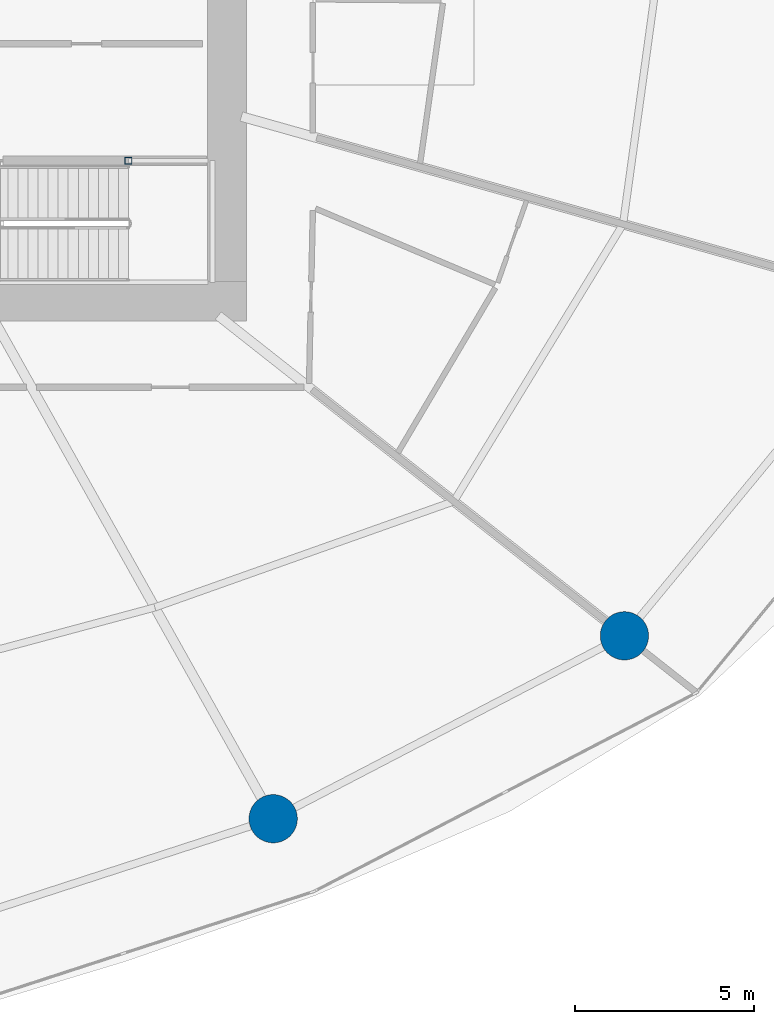
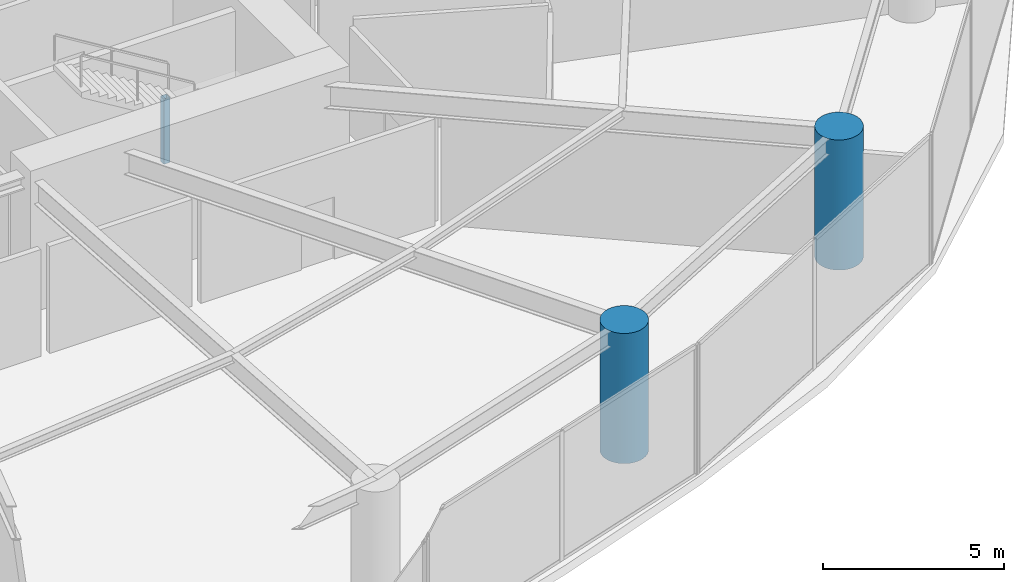
# One storey, part 3 of 22: 3 columns.
"""IFC4 building model written with IfcOpenShell, lengths in metres."""

from ifc_helpers import new_model, si_unit, direction, frame, origin, origin_2d, place, context, subcontext, project, spatial, hollow_rectangle, circle, extrude, material, material_profile, profile_set, type_object, element, save


model = new_model("IFC4")

# Units and contexts
model_context = context("Model", 3, precision=1e-05, world=origin(), true_north=direction((0.0, 1.0)))
body_context = subcontext(model_context, "Body", "Model", "MODEL_VIEW")
ifc_project = project(units=[si_unit("LENGTHUNIT", "METRE"), si_unit("AREAUNIT", "SQUARE_METRE"), si_unit("VOLUMEUNIT", "CUBIC_METRE"), si_unit("PLANEANGLEUNIT", "RADIAN"), si_unit("MASSUNIT", "GRAM", prefix="KILO")], contexts=[model_context])

# Site, building, storey
site_placement = place(None, origin())
site = spatial("IfcSite", under=ifc_project, at=site_placement, CompositionType="ELEMENT")
building_placement = place(site_placement, origin())
building = spatial("IfcBuilding", under=site, at=building_placement, Name="Kazma Halo Residences", CompositionType="ELEMENT")
storey_placement = place(building_placement, frame((0.0, 0.0, 16.800048828125)))
storey = spatial("IfcBuildingStorey", under=building, at=storey_placement, Name="L03", CompositionType="ELEMENT", Elevation=16.800048828125)

# Columns
ifc_material_1 = material(Name="Steel S355", Category="steel")
ifc_material_profile_1 = material_profile(ifc_material_1, hollow_rectangle(XDim=0.199951171875, YDim=0.199951171875, WallThickness=0.010009765625, InnerFilletRadius=0.010009765625, OuterFilletRadius=0.02001953125, at=origin_2d()), Name="SHS200x200x10")
ifc_profile_set_1 = profile_set([ifc_material_profile_1], Name="Steel S355")
column_type_1 = type_object("IfcColumnType", Name="COL-LP-SHS200", PredefinedType="COLUMN", material=ifc_profile_set_1)
column_placement = place(storey_placement, frame((56.840087890625, 37.3798828125, 0.0), z_axis=(0.0, 0.0, 1.0), x_axis=(1.0, 0.0, 0.0)))
element("IfcColumn", 1, at=column_placement, inside=storey, type_object=column_type_1, Name="L03 ST-03 landing pilaster 1", PredefinedType="COLUMN", context=body_context, shape_type="SweptSolid", body=[
    extrude(hollow_rectangle(XDim=0.199951171875, YDim=0.199951171875, WallThickness=0.010009765625, InnerFilletRadius=0.010009765625, OuterFilletRadius=0.02001953125, at=origin_2d()), origin(), (0.0, 0.0, 1.0), 2.195068359375),
])
ifc_material_2 = material(Name="Concrete C80/95", Category="concrete")
ifc_material_profile_2 = material_profile(ifc_material_2, circle(Radius=0.675048828125, at=origin_2d()), Name="CIRC1350")
ifc_profile_set_2 = profile_set([ifc_material_profile_2], Name="Concrete C80/95")
column_type_2 = type_object("IfcColumnType", Name="COL-PERIM-1350", PredefinedType="COLUMN", material=ifc_profile_set_2)
for number, where, z_axis, x_axis, name in (
    (2, (60.889404296875, 18.984375, 0.0), (0.0, 0.0, 1.0), (1.0, 0.0, 0.0), "L03 perimeter ring column P13"),
    (3, (70.708984375, 24.09765625, 0.0), (0.0, 0.0, 1.0), (1.0, 0.0, 0.0), "L03 perimeter ring column P14"),
):
    element("IfcColumn", number, at=place(storey_placement, frame(where, z_axis=z_axis, x_axis=x_axis)), inside=storey, type_object=column_type_2, Name=name, PredefinedType="COLUMN", context=body_context, shape_type="SweptSolid", body=[
        extrude(circle(Radius=0.675048828125, at=origin_2d()), origin(), (0.0, 0.0, 1.0), 4.39990234375),
    ])

save(model, "model.ifc")
